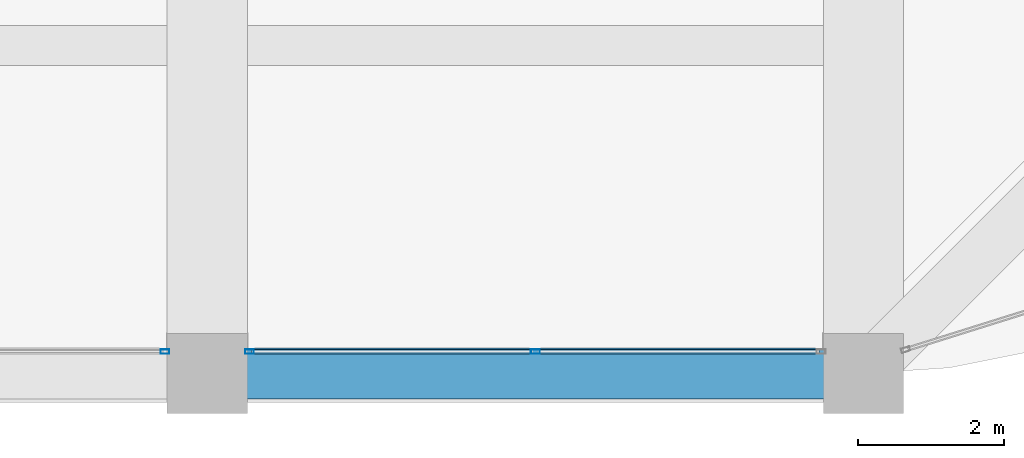
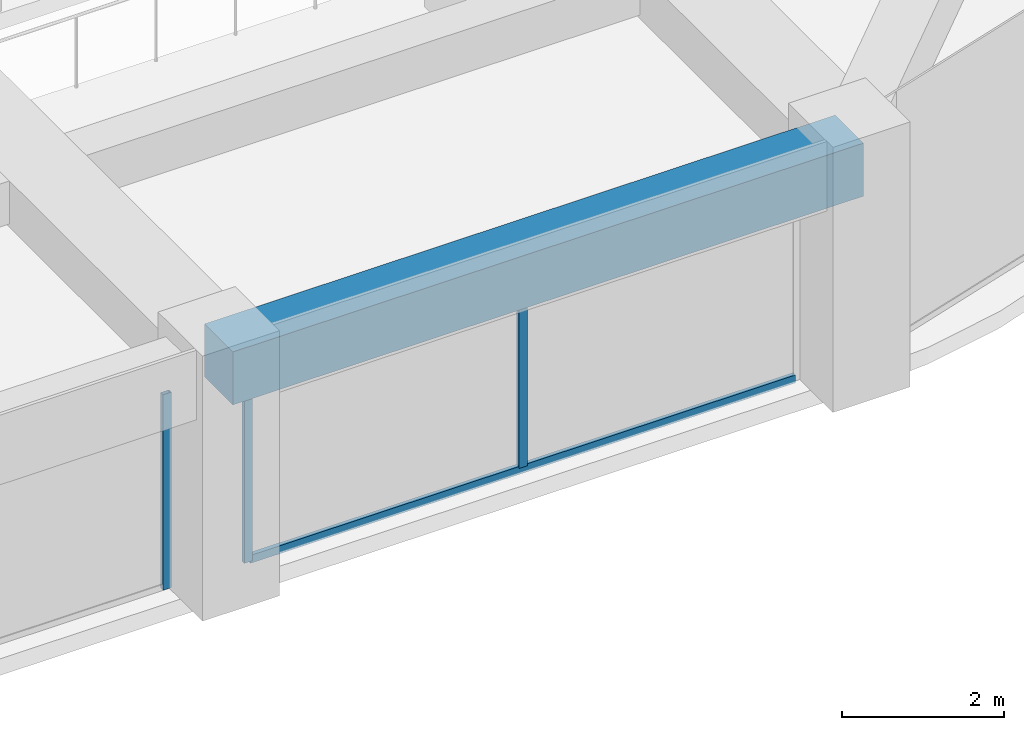
# One storey, part 11 of 44: 4 members, 1 beam, 2 elements without a shape of their own.
"""IFC4 building model written with IfcOpenShell, lengths in metres."""

from ifc_helpers import new_model, si_unit, direction, frame, origin, origin_2d, place, context, subcontext, project, spatial, rectangle, hollow_rectangle, extrude, material, material_profile, profile_set, type_object, element, aggregate, save


model = new_model("IFC4")

# Units and contexts
model_context = context("Model", 3, precision=1e-05, world=origin(), true_north=direction((0.0, 1.0)))
body_context = subcontext(model_context, "Body", "Model", "MODEL_VIEW")
ifc_project = project(units=[si_unit("LENGTHUNIT", "METRE"), si_unit("AREAUNIT", "SQUARE_METRE"), si_unit("VOLUMEUNIT", "CUBIC_METRE"), si_unit("PLANEANGLEUNIT", "RADIAN"), si_unit("MASSUNIT", "GRAM", prefix="KILO")], contexts=[model_context])

# Site, building, storey
site_placement = place(None, origin())
site = spatial("IfcSite", under=ifc_project, at=site_placement, CompositionType="ELEMENT")
building_placement = place(site_placement, origin())
building = spatial("IfcBuilding", under=site, at=building_placement, Name="Zorevar Civic Tower", CompositionType="ELEMENT")
storey_placement = place(building_placement, frame((0.0, 0.0, 255.39990234375)))
storey = spatial("IfcBuildingStorey", under=building, at=storey_placement, Name="L62", CompositionType="ELEMENT", Elevation=255.39990234375)

# Curtain wall, member
ifc_material_1 = material(Name="Dark grey solar-control glass in black aluminium frame", Category="aluminium")
curtain_wall_type = type_object("IfcCurtainWallType", Name="Curtain wall CW5 top zone", PredefinedType="NOTDEFINED", material=ifc_material_1)
curtain_wall_1_placement = place(storey_placement, origin())
curtain_wall_1 = element("IfcCurtainWall", 1, at=curtain_wall_1_placement, inside=storey, type_object=curtain_wall_type, Name="CW5 L62", PredefinedType="NOTDEFINED")
ifc_material_2 = material(Name="Aluminium, black anodised", Category="aluminium")
ifc_material_profile_1 = material_profile(ifc_material_2, hollow_rectangle(XDim=0.06005859375, YDim=0.1201171875, WallThickness=0.0029296875, at=origin_2d()), Name="AL 120x60x3")
ifc_profile_set_1 = profile_set([ifc_material_profile_1], Name="Aluminium, black anodised")
member_type_1 = type_object("IfcMemberType", Name="CW5 mullion AL 120x60x3", PredefinedType="MULLION", material=ifc_profile_set_1)
member_1_placement = place(storey_placement, frame((35.419921875, 0.300048828125, 0.0), z_axis=(0.0, 0.0, 1.0), x_axis=(0.0, 1.0, 0.0)))
member_1 = element("IfcMember", 2, at=member_1_placement, type_object=member_type_1, Name="CW5 mullion 3", PredefinedType="MULLION", context=body_context, shape_type="SweptSolid", body=[
    extrude(hollow_rectangle(XDim=0.06005859375, YDim=0.1201171875, WallThickness=0.0029296875, at=origin_2d()), origin(), (0.0, 0.0, 1.0), 2.9501953125),
])
aggregate(curtain_wall_1, [member_1])

# Curtain wall, members
curtain_wall_2_placement = place(storey_placement, origin())
curtain_wall_2 = element("IfcCurtainWall", 3, at=curtain_wall_2_placement, inside=storey, type_object=curtain_wall_type, Name="CW5 L62", PredefinedType="NOTDEFINED")
member_2_placement = place(storey_placement, frame((36.580078125, 0.300048828125, 0.0), z_axis=(0.0, 0.0, 1.0), x_axis=(0.0, 1.0, 0.0)))
member_2 = element("IfcMember", 4, at=member_2_placement, type_object=member_type_1, Name="CW5 mullion 1", PredefinedType="MULLION", context=body_context, shape_type="SweptSolid", body=[
    extrude(hollow_rectangle(XDim=0.06005859375, YDim=0.1201171875, WallThickness=0.0029296875, at=origin_2d()), origin(), (0.0, 0.0, 1.0), 2.9501953125),
])
member_3_placement = place(storey_placement, frame((40.5, 0.300048828125, 0.06005859375), z_axis=(0.0, 0.0, 1.0), x_axis=(0.0, 1.0, 0.0)))
member_3 = element("IfcMember", 5, at=member_3_placement, type_object=member_type_1, Name="CW5 mullion 2", PredefinedType="MULLION", context=body_context, shape_type="SweptSolid", body=[
    extrude(hollow_rectangle(XDim=0.06005859375, YDim=0.1201171875, WallThickness=0.0029296875, at=origin_2d()), origin(), (0.0, 0.0, 1.0), 2.89013671875),
])
ifc_material_3 = material(Name="Aluminium, black anodised", Category="aluminium")
ifc_material_profile_2 = material_profile(ifc_material_3, hollow_rectangle(XDim=0.06005859375, YDim=0.1201171875, WallThickness=0.0029296875, at=origin_2d()), Name="AL 120x60x3")
ifc_profile_set_2 = profile_set([ifc_material_profile_2], Name="Aluminium, black anodised")
member_type_2 = type_object("IfcMemberType", Name="CW5 transom AL 120x60x3", PredefinedType="USERDEFINED", material=ifc_profile_set_2)
member_4_placement = place(storey_placement, frame((36.610107421875, 0.300048828125, 0.030029296875), z_axis=(1.0, 0.0, 0.0), x_axis=(0.0, 1.0, 0.0)))
member_4 = element("IfcMember", 6, at=member_4_placement, type_object=member_type_2, Name="CW5 sill transom", ObjectType="TRANSOM", PredefinedType="USERDEFINED", context=body_context, shape_type="SweptSolid", body=[
    extrude(hollow_rectangle(XDim=0.06005859375, YDim=0.1201171875, WallThickness=0.0029296875, at=origin_2d()), origin(), (0.0, 0.0, 1.0), 7.77978515625),
])
aggregate(curtain_wall_2, [member_2, member_3, member_4])

# Beam
ifc_material_4 = material(Name="Concrete C50/60", Category="concrete")
ifc_material_profile_3 = material_profile(ifc_material_4, rectangle(XDim=0.699951171875, YDim=0.800048828125, at=origin_2d()), Name="RC 700x800")
ifc_profile_set_3 = profile_set([ifc_material_profile_3], Name="Concrete C50/60")
beam_type = type_object("IfcBeamType", Name="Edge beam RC 700x800", PredefinedType="SPANDREL", material=ifc_profile_set_3)
beam_placement = place(storey_placement, frame((36.0, 0.0, 3.35009765625), z_axis=(1.0, 0.0, 0.0), x_axis=(0.0, 1.0, 0.0)))
element("IfcBeam", 7, at=beam_placement, inside=storey, type_object=beam_type, Name="Edge beam L63", PredefinedType="SPANDREL", context=body_context, shape_type="SweptSolid", body=[
    extrude(rectangle(XDim=0.699951171875, YDim=0.800048828125, at=origin_2d()), origin(), (0.0, 0.0, 1.0), 9.0),
])

save(model, "model.ifc")
